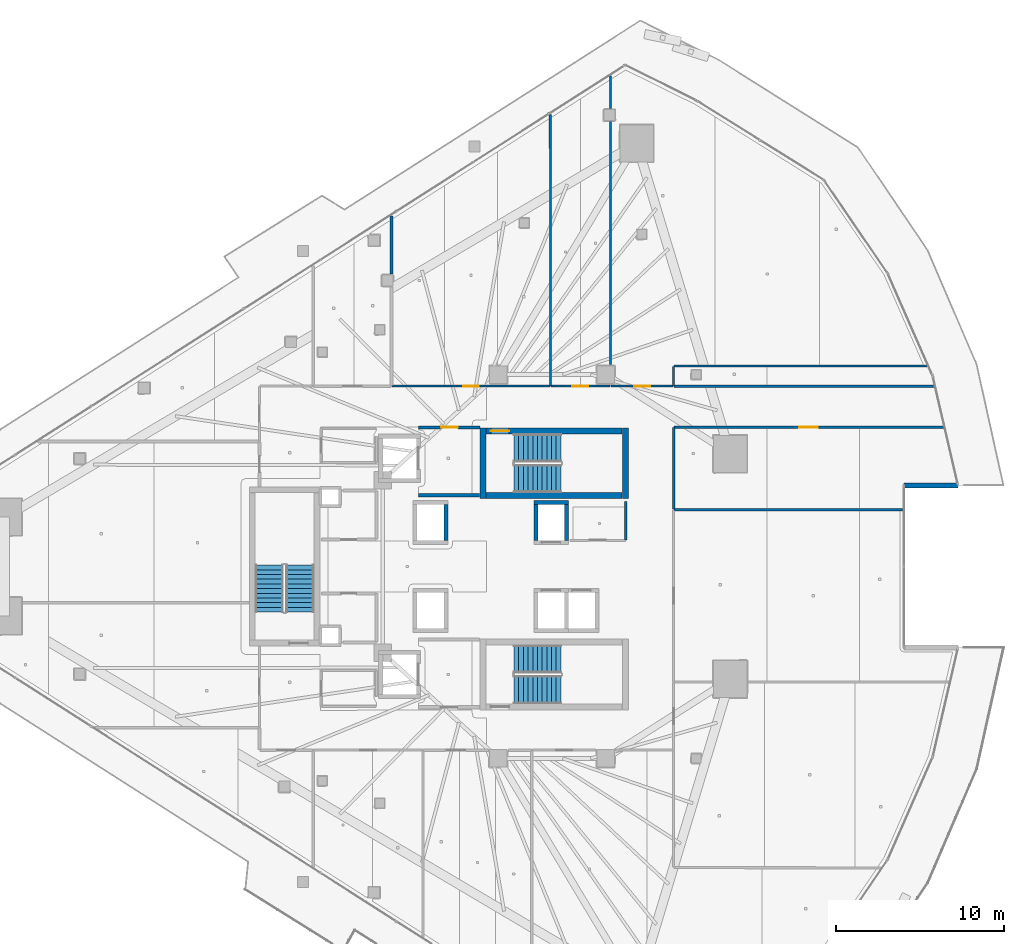
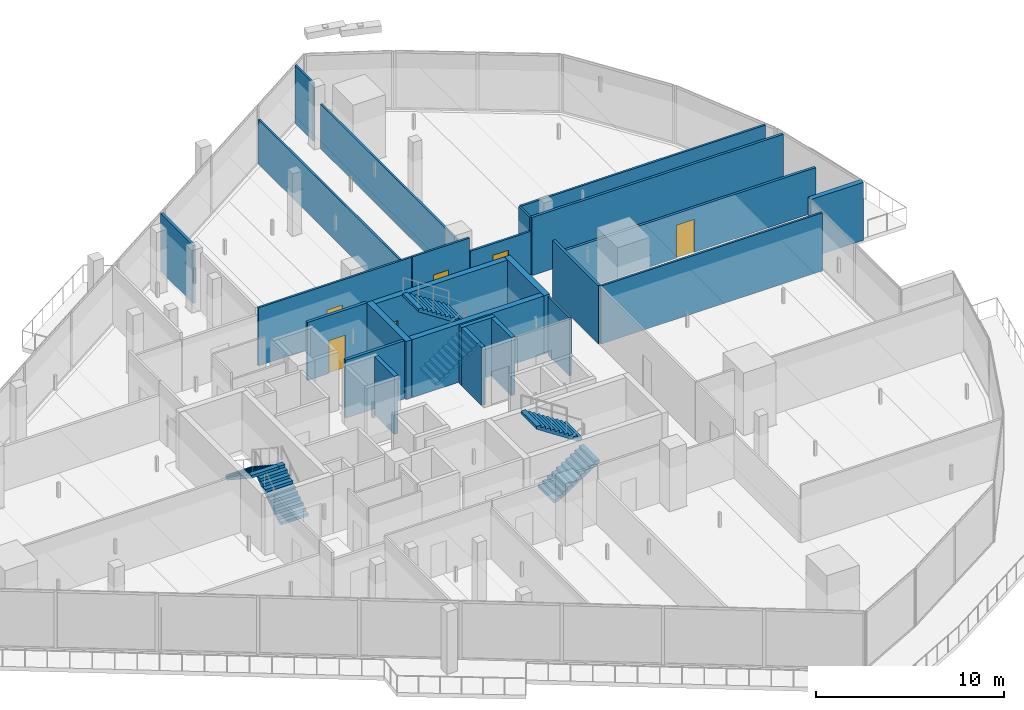
# One storey, part 27 of 39: 25 walls, 6 doors, 6 stair flights, 6 openings, 3 elements without a shape of their own.
"""IFC4 building model written with IfcOpenShell, lengths in metres."""

from ifc_helpers import new_model, si_unit, direction, frame, frame_2d, origin, place, context, subcontext, project, spatial, polyline, rectangle, outline, extrude, material, layer, layer_set, type_object, element, fill, aggregate, save


model = new_model("IFC4")

# Units and contexts
model_context = context("Model", 3, precision=1e-05, world=origin(), true_north=direction((0.0, 1.0)))
body_context = subcontext(model_context, "Body", "Model", "MODEL_VIEW")
ifc_project = project(units=[si_unit("LENGTHUNIT", "METRE"), si_unit("AREAUNIT", "SQUARE_METRE"), si_unit("VOLUMEUNIT", "CUBIC_METRE"), si_unit("PLANEANGLEUNIT", "RADIAN"), si_unit("MASSUNIT", "GRAM", prefix="KILO")], contexts=[model_context])

# Site, building, storey
site_placement = place(None, origin())
site = spatial("IfcSite", under=ifc_project, at=site_placement, CompositionType="ELEMENT")
building_placement = place(site_placement, origin())
building = spatial("IfcBuilding", under=site, at=building_placement, Name="Qorvath Tower", CompositionType="ELEMENT")
storey_placement = place(building_placement, frame((0.0, 0.0, 142.199951171875)))
storey = spatial("IfcBuildingStorey", under=building, at=storey_placement, Name="L32", CompositionType="ELEMENT", Elevation=142.199951171875)

# Wall
ifc_material_1 = material(Name="Gypsum shaftliner on steel studs", Category="steel")
ifc_layer_1 = layer(ifc_material_1, 0.179931640625)
ifc_layer_set_1 = layer_set([ifc_layer_1], Name="FW-LOBBY")
wall_type_1 = type_object("IfcWallType", Name="FW-LOBBY", PredefinedType="PARTITIONING", material=ifc_layer_set_1)
wall_1_placement = place(storey_placement, frame((-28.35498046875, 4.25, 0.0), z_axis=(0.0, 0.0, 1.0), x_axis=(1.0, 0.0, 0.0)))
element("IfcWall", 1, at=wall_1_placement, inside=storey, type_object=wall_type_1, Name="Interior Partition IW-T1-L32-001", PredefinedType="PARTITIONING", context=body_context, shape_type="SweptSolid", body=[
    extrude(rectangle(XDim=3.6220703125, YDim=0.179931640625, at=frame_2d((1.81103515625, 0.0))), origin(), (0.0, 0.0, 1.0), 3.780029296875),
])

# Wall, opening, door
wall_2_placement = place(storey_placement, frame((-24.68408203125, 8.300048828125, 0.0), z_axis=(0.0, 0.0, 1.0), x_axis=(-1.0, 0.0, 0.0)))
wall_2 = element("IfcWall", 2, at=wall_2_placement, inside=storey, type_object=wall_type_1, Name="Interior Partition IW-T1-L32-002", PredefinedType="PARTITIONING", context=body_context, shape_type="SweptSolid", body=[
    extrude(rectangle(XDim=3.6708984375, YDim=0.179931640625, at=frame_2d((1.83544921875, 0.0))), origin(), (0.0, 0.0, 1.0), 3.780029296875),
])
opening_1_placement = place(wall_2_placement, frame((1.33544921875, 0.0, 0.0)))
opening_1 = element("IfcOpeningElement", 3, at=opening_1_placement, cuts=wall_2, Name="Opening D-T1-L32-20", PredefinedType="OPENING", context=body_context, shape_type="SweptSolid", body=[
    extrude(rectangle(XDim=1.0, YDim=2.14990234375, at=frame_2d((0.5, 1.074951171875))), frame((0.0, 0.10009765625, 0.0), z_axis=(0.0, -1.0, 0.0), x_axis=(1.0, 0.0, 0.0)), (0.0, 0.0, 1.0), 0.199951171875),
])
ifc_material_2 = material(Name="Painted galvanised hollow metal", Category="steel")
door_type_1 = type_object("IfcDoorType", Name="FD-60", OperationType="NOTDEFINED", PredefinedType="DOOR", material=ifc_material_2)
door_1_placement = place(opening_1_placement, origin())
door_1 = element("IfcDoor", 4, at=door_1_placement, inside=storey, type_object=door_type_1, Name="Lobby Fire Service Elevator North Door D-T1-L32-20", OperationType="SINGLE_SWING_LEFT", OverallHeight=2.14990234375, OverallWidth=1.0, PredefinedType="DOOR", context=body_context, shape_type="SweptSolid", body=[
    extrude(rectangle(XDim=1.0, YDim=2.14990234375, at=frame_2d((0.5, 1.074951171875))), frame((0.0, 0.02490234375, 0.0), z_axis=(0.0, -1.0, 0.0), x_axis=(1.0, 0.0, 0.0)), (0.0, 0.0, 1.0), 0.050048828125),
])
fill(opening_1, door_1)

# Walls
ifc_material_3 = material(Name="Double acoustic gypsum board on steel studs", Category="steel")
ifc_layer_2 = layer(ifc_material_3, 0.159912109375)
ifc_layer_set_2 = layer_set([ifc_layer_2], Name="IW-ACOUSTIC-160")
wall_type_2 = type_object("IfcWallType", Name="IW-ACOUSTIC-160", PredefinedType="PARTITIONING", material=ifc_layer_set_2)
wall_3_placement = place(storey_placement, frame((-29.97900390625, 17.44970703125, 0.0), z_axis=(0.0, 0.0, 1.0), x_axis=(0.0, 1.0, 0.0)))
element("IfcWall", 5, at=wall_3_placement, inside=storey, type_object=wall_type_2, Name="Interior Partition IW-T1-L32-023", PredefinedType="PARTITIONING", context=body_context, shape_type="SweptSolid", body=[
    extrude(rectangle(XDim=3.47021484375, YDim=0.159912109375, at=frame_2d((1.735107421875, 0.0))), origin(), (0.0, 0.0, 1.0), 3.780029296875),
])
wall_4_placement = place(storey_placement, frame((2.376708984375, 10.758056640625, 0.0), z_axis=(0.0, 0.0, 1.0), x_axis=(-1.0, 0.0, 0.0)))
element("IfcWall", 6, at=wall_4_placement, inside=storey, type_object=wall_type_2, Name="Interior Partition IW-T1-L32-048", PredefinedType="PARTITIONING", context=body_context, shape_type="SweptSolid", body=[
    extrude(rectangle(XDim=15.493896484375, YDim=0.159912109375, at=frame_2d((7.7470703125, 0.0))), origin(), (0.0, 0.0, 1.0), 3.780029296875),
])

# Wall, opening, door
wall_5_placement = place(storey_placement, frame((2.943115234375, 8.31201171875, 0.0), z_axis=(0.0, 0.0, 1.0), x_axis=(-1.0, 0.0, 0.0)))
wall_5 = element("IfcWall", 7, at=wall_5_placement, inside=storey, type_object=wall_type_2, Name="Interior Partition IW-T1-L32-049", PredefinedType="PARTITIONING", context=body_context, shape_type="SweptSolid", body=[
    extrude(rectangle(XDim=16.060302734375, YDim=0.159912109375, at=frame_2d((8.0302734375, 0.0))), origin(), (0.0, 0.0, 1.0), 2.89501953125),
])
opening_2_placement = place(wall_5_placement, frame((7.480224609375, 0.0, 0.0)))
opening_2 = element("IfcOpeningElement", 8, at=opening_2_placement, cuts=wall_5, Name="Opening D-T1-L32-15", PredefinedType="OPENING", context=body_context, shape_type="SweptSolid", body=[
    extrude(rectangle(XDim=1.10009765625, YDim=2.14990234375, at=frame_2d((0.550048828125, 1.074951171875))), frame((0.0, 0.08984375, 0.0), z_axis=(0.0, -1.0, 0.0), x_axis=(1.0, 0.0, 0.0)), (0.0, 0.0, 1.0), 0.179931640625),
])
ifc_material_4 = material(Name="Anodised aluminium acoustic framed glass", Category="aluminium")
door_type_2 = type_object("IfcDoorType", Name="D-03", OperationType="NOTDEFINED", PredefinedType="DOOR", material=ifc_material_4)
door_2_placement = place(opening_2_placement, origin())
door_2 = element("IfcDoor", 9, at=door_2_placement, inside=storey, type_object=door_type_2, Name="L32-10 Enclosed Conference Suite Door D-T1-L32-15", OperationType="SINGLE_SWING_RIGHT", OverallHeight=2.14990234375, OverallWidth=1.10009765625, PredefinedType="DOOR", context=body_context, shape_type="SweptSolid", body=[
    extrude(rectangle(XDim=1.10009765625, YDim=2.14990234375, at=frame_2d((0.550048828125, 1.074951171875))), frame((0.0, 0.02490234375, 0.0), z_axis=(0.0, -1.0, 0.0), x_axis=(1.0, 0.0, 0.0)), (0.0, 0.0, 1.0), 0.050048828125),
])
fill(opening_2, door_2)

# Walls
wall_6_placement = place(storey_placement, frame((-13.14208984375, 8.287109375, 0.0), z_axis=(0.0, 0.0, 1.0), x_axis=(0.0, -1.0, 0.0)))
element("IfcWall", 10, at=wall_6_placement, inside=storey, type_object=wall_type_2, Name="Interior Partition IW-T1-L32-050", PredefinedType="PARTITIONING", context=body_context, shape_type="SweptSolid", body=[
    extrude(rectangle(XDim=4.87109375, YDim=0.159912109375, at=frame_2d((2.435546875, 0.0))), origin(), (0.0, 0.0, 1.0), 3.780029296875),
])
ifc_material_5 = material(Name="Gypsum board on metal studs with mineral wool", Category="gypsum")
ifc_layer_3 = layer(ifc_material_5, 0.125)
ifc_layer_set_3 = layer_set([ifc_layer_3], Name="IW-PART-125")
wall_type_3 = type_object("IfcWallType", Name="IW-PART-125", PredefinedType="PARTITIONING", material=ifc_layer_set_3)
wall_7_placement = place(storey_placement, frame((-16.0, 1.585205078125, 0.0), z_axis=(0.0, 0.0, 1.0), x_axis=(0.0, 1.0, 0.0)))
element("IfcWall", 11, at=wall_7_placement, inside=storey, type_object=wall_type_3, Name="Interior Partition IW-T1-L32-014", PredefinedType="PARTITIONING", context=body_context, shape_type="SweptSolid", body=[
    extrude(rectangle(XDim=2.30224609375, YDim=0.125, at=frame_2d((1.151123046875, 0.0))), origin(), (0.0, 0.0, 1.0), 3.780029296875),
])

# Wall, opening, door
wall_8_placement = place(storey_placement, frame((-29.94580078125, 10.758056640625, 0.0), z_axis=(0.0, 0.0, 1.0), x_axis=(1.0, 0.0, 0.0)))
wall_8 = element("IfcWall", 12, at=wall_8_placement, inside=storey, type_object=wall_type_3, Name="Interior Partition IW-T1-L32-025", PredefinedType="PARTITIONING", context=body_context, shape_type="SweptSolid", body=[
    extrude(rectangle(XDim=9.42138671875, YDim=0.125, at=frame_2d((4.710693359375, 0.0))), origin(), (0.0, 0.0, 1.0), 3.780029296875),
])
opening_3_placement = place(wall_8_placement, frame((4.235595703125, 0.0, 0.0)))
opening_3 = element("IfcOpeningElement", 13, at=opening_3_placement, cuts=wall_8, Name="Opening D-T1-L32-07", PredefinedType="OPENING", context=body_context, shape_type="SweptSolid", body=[
    extrude(rectangle(XDim=0.949951171875, YDim=2.14990234375, at=frame_2d((0.47509765625, 1.074951171875))), frame((0.0, 0.072509765625, 0.0), z_axis=(0.0, -1.0, 0.0), x_axis=(1.0, 0.0, 0.0)), (0.0, 0.0, 1.0), 0.14501953125),
])
ifc_material_6 = material(Name="Solid-core American white oak veneer", Category="wood")
door_type_3 = type_object("IfcDoorType", Name="D-01", OperationType="NOTDEFINED", PredefinedType="DOOR", material=ifc_material_6)
door_3_placement = place(opening_3_placement, origin())
door_3 = element("IfcDoor", 14, at=door_3_placement, inside=storey, type_object=door_type_3, Name="L32-02 Project Collaboration Workspace Door D-T1-L32-07", OperationType="SINGLE_SWING_RIGHT", OverallHeight=2.14990234375, OverallWidth=0.949951171875, PredefinedType="DOOR", context=body_context, shape_type="SweptSolid", body=[
    extrude(rectangle(XDim=0.949951171875, YDim=2.14990234375, at=frame_2d((0.47509765625, 1.074951171875))), frame((0.0, 0.02490234375, 0.0), z_axis=(0.0, -1.0, 0.0), x_axis=(1.0, 0.0, 0.0)), (0.0, 0.0, 1.0), 0.050048828125),
])
fill(opening_3, door_3)

# Wall
wall_9_placement = place(storey_placement, frame((-20.499267578125, 10.783203125, 0.0), z_axis=(0.0, 0.0, 1.0), x_axis=(-0.000346792899, 0.999999939867, 0.0)))
element("IfcWall", 15, at=wall_9_placement, inside=storey, type_object=wall_type_3, Name="Interior Partition IW-T1-L32-026", PredefinedType="PARTITIONING", context=body_context, shape_type="SweptSolid", body=[
    extrude(rectangle(XDim=16.19189453125, YDim=0.125, at=frame_2d((8.095947265625, 0.0))), origin(), (0.0, 0.0, 1.0), 2.89501953125),
])

# Wall, opening, door
wall_10_placement = place(storey_placement, frame((-20.46630859375, 10.758056640625, 0.0), z_axis=(0.0, 0.0, 1.0), x_axis=(1.0, 0.0, 0.0)))
wall_10 = element("IfcWall", 16, at=wall_10_placement, inside=storey, type_object=wall_type_3, Name="Interior Partition IW-T1-L32-027", PredefinedType="PARTITIONING", context=body_context, shape_type="SweptSolid", body=[
    extrude(rectangle(XDim=3.522705078125, YDim=0.125, at=frame_2d((1.76123046875, 0.0))), origin(), (0.0, 0.0, 1.0), 3.780029296875),
])
opening_4_placement = place(wall_10_placement, frame((1.286376953125, 0.0, 0.0)))
opening_4 = element("IfcOpeningElement", 17, at=opening_4_placement, cuts=wall_10, Name="Opening D-T1-L32-08", PredefinedType="OPENING", context=body_context, shape_type="SweptSolid", body=[
    extrude(rectangle(XDim=0.949951171875, YDim=2.14990234375, at=frame_2d((0.47509765625, 1.074951171875))), frame((0.0, 0.072509765625, 0.0), z_axis=(0.0, -1.0, 0.0), x_axis=(1.0, 0.0, 0.0)), (0.0, 0.0, 1.0), 0.14501953125),
])
door_4_placement = place(opening_4_placement, origin())
door_4 = element("IfcDoor", 18, at=door_4_placement, inside=storey, type_object=door_type_3, Name="L32-03 Design Pin-Up Atelier Door D-T1-L32-08", OperationType="SINGLE_SWING_LEFT", OverallHeight=2.14990234375, OverallWidth=0.949951171875, PredefinedType="DOOR", context=body_context, shape_type="SweptSolid", body=[
    extrude(rectangle(XDim=0.949951171875, YDim=2.14990234375, at=frame_2d((0.47509765625, 1.074951171875))), frame((0.0, 0.02490234375, 0.0), z_axis=(0.0, -1.0, 0.0), x_axis=(1.0, 0.0, 0.0)), (0.0, 0.0, 1.0), 0.050048828125),
])
fill(opening_4, door_4)

# Walls
wall_11_placement = place(storey_placement, frame((-16.918701171875, 12.0400390625, 0.0), z_axis=(0.0, 0.0, 1.0), x_axis=(0.0, 1.0, 0.0)))
element("IfcWall", 19, at=wall_11_placement, inside=storey, type_object=wall_type_3, Name="Interior Partition IW-T1-L32-028", PredefinedType="PARTITIONING", context=body_context, shape_type="SweptSolid", body=[
    extrude(rectangle(XDim=14.499267578125, YDim=0.125, at=frame_2d((7.24951171875, 0.0))), origin(), (0.0, 0.0, 1.0), 2.89501953125),
])
wall_12_placement = place(storey_placement, frame((-16.918701171875, 27.319091796875, 0.0), z_axis=(0.0, 0.0, 1.0), x_axis=(0.0, 1.0, 0.0)))
element("IfcWall", 20, at=wall_12_placement, inside=storey, type_object=wall_type_3, Name="Interior Partition IW-T1-L32-029", PredefinedType="PARTITIONING", context=body_context, shape_type="SweptSolid", body=[
    extrude(rectangle(XDim=1.947998046875, YDim=0.125, at=frame_2d((0.97412109375, 0.0))), origin(), (0.0, 0.0, 1.0), 3.780029296875),
])

# Wall, opening, door
wall_13_placement = place(storey_placement, frame((-16.885498046875, 10.758056640625, 0.0), z_axis=(0.0, 0.0, 1.0), x_axis=(1.0, 0.0, 0.0)))
wall_13 = element("IfcWall", 21, at=wall_13_placement, inside=storey, type_object=wall_type_3, Name="Interior Partition IW-T1-L32-030", PredefinedType="PARTITIONING", context=body_context, shape_type="SweptSolid", body=[
    extrude(rectangle(XDim=3.710693359375, YDim=0.125, at=frame_2d((1.85546875, 0.0))), origin(), (0.0, 0.0, 1.0), 2.89501953125),
])
opening_5_placement = place(wall_13_placement, frame((1.38037109375, 0.0, 0.0)))
opening_5 = element("IfcOpeningElement", 22, at=opening_5_placement, cuts=wall_13, Name="Opening D-T1-L32-09", PredefinedType="OPENING", context=body_context, shape_type="SweptSolid", body=[
    extrude(rectangle(XDim=0.949951171875, YDim=2.14990234375, at=frame_2d((0.47509765625, 1.074951171875))), frame((0.0, 0.072509765625, 0.0), z_axis=(0.0, -1.0, 0.0), x_axis=(1.0, 0.0, 0.0)), (0.0, 0.0, 1.0), 0.14501953125),
])
door_5_placement = place(opening_5_placement, origin())
door_5 = element("IfcDoor", 23, at=door_5_placement, inside=storey, type_object=door_type_3, Name="L32-04 Executive Partner Office Door D-T1-L32-09", OperationType="SINGLE_SWING_RIGHT", OverallHeight=2.14990234375, OverallWidth=0.949951171875, PredefinedType="DOOR", context=body_context, shape_type="SweptSolid", body=[
    extrude(rectangle(XDim=0.949951171875, YDim=2.14990234375, at=frame_2d((0.47509765625, 1.074951171875))), frame((0.0, 0.02490234375, 0.0), z_axis=(0.0, -1.0, 0.0), x_axis=(1.0, 0.0, 0.0)), (0.0, 0.0, 1.0), 0.050048828125),
])
fill(opening_5, door_5)

# Walls
wall_14_placement = place(storey_placement, frame((-13.14990234375, 11.92626953125, 0.0), z_axis=(0.0, 0.0, 1.0), x_axis=(0.0, -1.0, 0.0)))
element("IfcWall", 24, at=wall_14_placement, inside=storey, type_object=wall_type_3, Name="Interior Partition IW-T1-L32-031", PredefinedType="PARTITIONING", context=body_context, shape_type="SweptSolid", body=[
    extrude(rectangle(XDim=1.14306640625, YDim=0.125, at=frame_2d((0.571533203125, 0.0))), origin(), (0.0, 0.0, 1.0), 3.780029296875),
])
wall_15_placement = place(storey_placement, frame((-13.125, 11.951171875, 0.0), z_axis=(0.0, 0.0, 1.0), x_axis=(0.999999646529, 0.000840797814, 0.0)))
element("IfcWall", 25, at=wall_15_placement, inside=storey, type_object=wall_type_3, Name="Interior Partition IW-T1-L32-032", PredefinedType="PARTITIONING", context=body_context, shape_type="SweptSolid", body=[
    extrude(rectangle(XDim=15.09912109375, YDim=0.125, at=frame_2d((7.549560546875, 0.0))), origin(), (0.0, 0.0, 1.0), 3.780029296875),
])
wall_16_placement = place(storey_placement, frame((0.521484375, 3.3828125, 0.0), z_axis=(0.0, 0.0, 1.0), x_axis=(-1.0, 0.0, 0.0)))
element("IfcWall", 26, at=wall_16_placement, inside=storey, type_object=wall_type_3, Name="Interior Partition IW-T1-L32-046", PredefinedType="PARTITIONING", context=body_context, shape_type="SweptSolid", body=[
    extrude(rectangle(XDim=13.638671875, YDim=0.125, at=frame_2d((6.8193359375, 0.0))), origin(), (0.0, 0.0, 1.0), 3.780029296875),
])
ifc_material_7 = material(Name="Concrete C60/75", Category="concrete")
ifc_layer_4 = layer(ifc_material_7, 0.260009765625)
ifc_layer_set_4 = layer_set([ifc_layer_4], Name="SW-SHAFT")
wall_type_4 = type_object("IfcWallType", Name="SW-SHAFT", PredefinedType="SHEAR", material=ifc_layer_set_4)
wall_17_placement = place(storey_placement, frame((-26.72998046875, 3.68798828125, 0.0), z_axis=(0.0, 0.0, 1.0), x_axis=(0.0, -1.0, 0.0)))
element("IfcWall", 27, at=wall_17_placement, inside=storey, type_object=wall_type_4, Name="Hoistway Wall PS-1 L32 E", PredefinedType="SHEAR", context=body_context, shape_type="SweptSolid", body=[
    extrude(rectangle(XDim=2.1259765625, YDim=0.239990234375, at=frame_2d((1.06298828125, 0.0))), origin(), (0.0, 0.0, 1.0), 3.780029296875),
])
wall_18_placement = place(storey_placement, frame((-21.489990234375, 3.820068359375, 0.0), z_axis=(0.0, 0.0, 1.0), x_axis=(1.0, 0.0, 0.0)))
element("IfcWall", 28, at=wall_18_placement, inside=storey, type_object=wall_type_4, Name="Hoistway Wall PM-1 L32 N", PredefinedType="SHEAR", context=body_context, shape_type="SweptSolid", body=[
    extrude(rectangle(XDim=2.080078125, YDim=0.239990234375, at=frame_2d((1.0400390625, 0.0))), origin(), (0.0, 0.0, 1.0), 3.780029296875),
])
for number, where, z_axis, x_axis, name in (
    (29, (-21.3701171875, 1.56201171875, 0.0), (0.0, 0.0, 1.0), (0.0, 1.0, 0.0), "Hoistway Wall PM-1 L32 W"),
    (30, (-19.530029296875, 3.68798828125, 0.0), (0.0, 0.0, 1.0), (0.0, -1.0, 0.0), "Hoistway Wall PM-1 L32 E"),
):
    element("IfcWall", number, at=place(storey_placement, frame(where, z_axis=z_axis, x_axis=x_axis)), inside=storey, type_object=wall_type_4, Name=name, PredefinedType="SHEAR", context=body_context, shape_type="SweptSolid", body=[
        extrude(rectangle(XDim=2.1259765625, YDim=0.239990234375, at=frame_2d((1.06298828125, 0.0))), origin(), (0.0, 0.0, 1.0), 3.780029296875),
    ])
ifc_material_8 = material(Name="Concrete C60/75", Category="concrete")
ifc_layer_5 = layer(ifc_material_8, 0.35009765625)
ifc_layer_set_5 = layer_set([ifc_layer_5], Name="SW-STAIR")
wall_type_5 = type_object("IfcWallType", Name="SW-STAIR", PredefinedType="SHEAR", material=ifc_layer_set_5)
for number, where, z_axis, x_axis, name in (
    (31, (-24.52490234375, 8.260009765625, 0.0), (0.0, 0.0, 1.0), (0.0, -1.0, 0.0), "Stair TS1 Shear Wall L32 NEAR"),
    (32, (-16.02490234375, 4.050048828125, 0.0), (0.0, 0.0, 1.0), (0.0, 1.0, 0.0), "Stair TS1 Shear Wall L32 FAR"),
):
    element("IfcWall", number, at=place(storey_placement, frame(where, z_axis=z_axis, x_axis=x_axis)), inside=storey, type_object=wall_type_5, Name=name, PredefinedType="SHEAR", context=body_context, shape_type="SweptSolid", body=[
        extrude(rectangle(XDim=4.2099609375, YDim=0.35009765625, at=frame_2d((2.10498046875, 0.0))), origin(), (0.0, 0.0, 1.0), 3.780029296875),
    ])
wall_19_placement = place(storey_placement, frame((-24.3349609375, 4.22509765625, 0.0), z_axis=(0.0, 0.0, 1.0), x_axis=(1.0, 0.0, 0.0)))
element("IfcWall", 33, at=wall_19_placement, inside=storey, type_object=wall_type_5, Name="Stair TS1 Shear Wall L32 LEFT", PredefinedType="SHEAR", context=body_context, shape_type="SweptSolid", body=[
    extrude(rectangle(XDim=8.119873046875, YDim=0.35009765625, at=frame_2d((4.06005859375, 0.0))), origin(), (0.0, 0.0, 1.0), 3.780029296875),
])

# Wall, opening, door
wall_20_placement = place(storey_placement, frame((-16.215087890625, 8.0849609375, 0.0), z_axis=(0.0, 0.0, 1.0), x_axis=(-1.0, 0.0, 0.0)))
wall_20 = element("IfcWall", 34, at=wall_20_placement, inside=storey, type_object=wall_type_5, Name="Stair TS1 Shear Wall L32 RIGHT", PredefinedType="SHEAR", context=body_context, shape_type="SweptSolid", body=[
    extrude(rectangle(XDim=8.119873046875, YDim=0.35009765625, at=frame_2d((4.06005859375, 0.0))), origin(), (0.0, 0.0, 1.0), 3.780029296875),
])
opening_6_placement = place(wall_20_placement, frame((6.739990234375, 0.0, 0.0)))
opening_6 = element("IfcOpeningElement", 35, at=opening_6_placement, cuts=wall_20, Name="Opening D-TS1-L32", PredefinedType="OPENING", context=body_context, shape_type="SweptSolid", body=[
    extrude(rectangle(XDim=1.10009765625, YDim=2.199951171875, at=frame_2d((0.550048828125, 1.10009765625))), frame((0.0, 0.18505859375, 0.0), z_axis=(0.0, -1.0, 0.0), x_axis=(1.0, 0.0, 0.0)), (0.0, 0.0, 1.0), 0.3701171875),
])
ifc_material_9 = material(Name="Painted galvanised hollow metal", Category="steel")
door_type_4 = type_object("IfcDoorType", Name="FD-90", OperationType="NOTDEFINED", PredefinedType="DOOR", material=ifc_material_9)
door_6_placement = place(opening_6_placement, origin())
door_6 = element("IfcDoor", 36, at=door_6_placement, inside=storey, type_object=door_type_4, Name="Stair TS1 Fire Door L32", OperationType="SINGLE_SWING_LEFT", OverallHeight=2.199951171875, OverallWidth=1.10009765625, PredefinedType="DOOR", context=body_context, shape_type="SweptSolid", body=[
    extrude(rectangle(XDim=1.10009765625, YDim=2.199951171875, at=frame_2d((0.550048828125, 1.10009765625))), frame((0.0, 0.02490234375, 0.0), z_axis=(0.0, -1.0, 0.0), x_axis=(1.0, 0.0, 0.0)), (0.0, 0.0, 1.0), 0.050048828125),
])
fill(opening_6, door_6)

# Wall
ifc_material_10 = material(Name="Precast concrete C45/55", Category="concrete")
ifc_layer_6 = layer(ifc_material_10, 0.300048828125)
ifc_layer_set_6 = layer_set([ifc_layer_6], Name="WL-EW-LOG-300")
wall_type_6 = type_object("IfcWallType", Name="WL-EW-LOG-300", PredefinedType="SOLIDWALL", material=ifc_layer_set_6)
wall_21_placement = place(storey_placement, frame((0.6015625, 4.83837890625, 0.0), z_axis=(0.0, 0.0, 1.0), x_axis=(1.0, 0.0, 0.0)))
element("IfcWall", 37, at=wall_21_placement, inside=storey, type_object=wall_type_6, Name="Tower Precast Loggia Wall L32-10.1", PredefinedType="SOLIDWALL", context=body_context, shape_type="SweptSolid", body=[
    extrude(rectangle(XDim=3.2255859375, YDim=0.300048828125, at=frame_2d((1.61279296875, 0.0))), origin(), (0.0, 0.0, 1.0), 3.780029296875),
])

# Stair, stair flights
ifc_material_11 = material(Name="Concrete C50/60", Category="concrete")
stair_type = type_object("IfcStairType", Name="ST-H405", PredefinedType="HALF_TURN_STAIR", material=ifc_material_11)
stair_1_placement = place(storey_placement, origin())
stair_1 = element("IfcStair", 38, at=stair_1_placement, inside=storey, type_object=stair_type, Name="L32 Tower Exit Stair 1", PredefinedType="HALF_TURN_STAIR")
ifc_material_12 = material(Name="Concrete C50/60", Category="concrete")
ifc_layer_7 = layer(ifc_material_12, 0.14990234375)
ifc_layer_set_7 = layer_set([ifc_layer_7], Name="SF-H405")
stair_flight_type = type_object("IfcStairFlightType", Name="SF-H405", PredefinedType="STRAIGHT", material=ifc_layer_set_7)
stair_flight_1_placement = place(storey_placement, frame((-22.669921875, 5.239990234375, 0.0), z_axis=(0.0, 0.0, 1.0), x_axis=(1.0, 0.0, 0.0)))
stair_flight_1 = element("IfcStairFlight", 39, at=stair_flight_1_placement, type_object=stair_flight_type, Name="TS1 flight 1", NumberOfRisers=11, NumberOfTreads=10, PredefinedType="STRAIGHT", RiserHeight=0.184090909, TreadLength=0.28, context=body_context, shape_type="SweptSolid", body=[
    extrude(outline(polyline([(0.0, 0.0), (0.0, 0.18408203125), (0.280029296875, 0.18408203125), (0.280029296875, 0.3681640625), (0.56005859375, 0.3681640625), (0.56005859375, 0.55224609375), (0.840087890625, 0.55224609375), (0.840087890625, 0.736328125), (1.1201171875, 0.736328125), (1.1201171875, 0.92041015625), (1.39990234375, 0.92041015625), (1.39990234375, 1.1044921875), (1.679931640625, 1.1044921875), (1.679931640625, 1.28857421875), (1.9599609375, 1.28857421875), (1.9599609375, 1.47265625), (2.239990234375, 1.47265625), (2.239990234375, 1.65673828125), (2.52001953125, 1.65673828125), (2.52001953125, 1.8408203125), (2.800048828125, 1.8408203125), (2.800048828125, 2.02490234375), (2.800048828125, 1.66162109375), (0.27294921875, 0.0), (0.0, 0.0)])), frame((0.0, 0.83984375, 0.0), z_axis=(0.0, -1.0, 0.0), x_axis=(1.0, 0.0, 0.0)), (0.0, 0.0, 1.0), 1.679931640625),
])
stair_flight_2_placement = place(storey_placement, frame((-19.8701171875, 7.070068359375, 2.025146484375), z_axis=(0.0, 0.0, 1.0), x_axis=(-1.0, 0.0, 0.0)))
stair_flight_2 = element("IfcStairFlight", 40, at=stair_flight_2_placement, type_object=stair_flight_type, Name="TS1 flight 2", NumberOfRisers=11, NumberOfTreads=10, PredefinedType="STRAIGHT", RiserHeight=0.184090909, TreadLength=0.28, context=body_context, shape_type="SweptSolid", body=[
    extrude(outline(polyline([(0.0, 0.0), (0.0, 0.18408203125), (0.280029296875, 0.18408203125), (0.280029296875, 0.3681640625), (0.56005859375, 0.3681640625), (0.56005859375, 0.55224609375), (0.840087890625, 0.55224609375), (0.840087890625, 0.736328125), (1.1201171875, 0.736328125), (1.1201171875, 0.92041015625), (1.39990234375, 0.92041015625), (1.39990234375, 1.1044921875), (1.679931640625, 1.1044921875), (1.679931640625, 1.28857421875), (1.9599609375, 1.28857421875), (1.9599609375, 1.47265625), (2.239990234375, 1.47265625), (2.239990234375, 1.65673828125), (2.52001953125, 1.65673828125), (2.52001953125, 1.8408203125), (2.800048828125, 1.8408203125), (2.800048828125, 2.02490234375), (2.800048828125, 1.66162109375), (0.27294921875, 0.0), (0.0, 0.0)])), frame((0.0, 0.83984375, 0.0), z_axis=(0.0, -1.0, 0.0), x_axis=(1.0, 0.0, 0.0)), (0.0, 0.0, 1.0), 1.679931640625),
])
aggregate(stair_1, [stair_flight_1, stair_flight_2])

stair_2_placement = place(storey_placement, origin())
stair_2 = element("IfcStair", 41, at=stair_2_placement, inside=storey, type_object=stair_type, Name="L32 Tower Exit Stair 2", PredefinedType="HALF_TURN_STAIR")
stair_flight_3_placement = place(storey_placement, frame((-22.669921875, -7.360107421875, 0.0), z_axis=(0.0, 0.0, 1.0), x_axis=(1.0, 0.0, 0.0)))
stair_flight_3 = element("IfcStairFlight", 42, at=stair_flight_3_placement, type_object=stair_flight_type, Name="TS2 flight 1", NumberOfRisers=11, NumberOfTreads=10, PredefinedType="STRAIGHT", RiserHeight=0.184090909, TreadLength=0.28, context=body_context, shape_type="SweptSolid", body=[
    extrude(outline(polyline([(0.0, 0.0), (0.0, 0.18408203125), (0.280029296875, 0.18408203125), (0.280029296875, 0.3681640625), (0.56005859375, 0.3681640625), (0.56005859375, 0.55224609375), (0.840087890625, 0.55224609375), (0.840087890625, 0.736328125), (1.1201171875, 0.736328125), (1.1201171875, 0.92041015625), (1.39990234375, 0.92041015625), (1.39990234375, 1.1044921875), (1.679931640625, 1.1044921875), (1.679931640625, 1.28857421875), (1.9599609375, 1.28857421875), (1.9599609375, 1.47265625), (2.239990234375, 1.47265625), (2.239990234375, 1.65673828125), (2.52001953125, 1.65673828125), (2.52001953125, 1.8408203125), (2.800048828125, 1.8408203125), (2.800048828125, 2.02490234375), (2.800048828125, 1.66162109375), (0.27294921875, 0.0), (0.0, 0.0)])), frame((0.0, 0.83984375, 0.0), z_axis=(0.0, -1.0, 0.0), x_axis=(1.0, 0.0, 0.0)), (0.0, 0.0, 1.0), 1.679931640625),
])
stair_flight_4_placement = place(storey_placement, frame((-19.8701171875, -5.530029296875, 2.025146484375), z_axis=(0.0, 0.0, 1.0), x_axis=(-1.0, 0.0, 0.0)))
stair_flight_4 = element("IfcStairFlight", 43, at=stair_flight_4_placement, type_object=stair_flight_type, Name="TS2 flight 2", NumberOfRisers=11, NumberOfTreads=10, PredefinedType="STRAIGHT", RiserHeight=0.184090909, TreadLength=0.28, context=body_context, shape_type="SweptSolid", body=[
    extrude(outline(polyline([(0.0, 0.0), (0.0, 0.18408203125), (0.280029296875, 0.18408203125), (0.280029296875, 0.3681640625), (0.56005859375, 0.3681640625), (0.56005859375, 0.55224609375), (0.840087890625, 0.55224609375), (0.840087890625, 0.736328125), (1.1201171875, 0.736328125), (1.1201171875, 0.92041015625), (1.39990234375, 0.92041015625), (1.39990234375, 1.1044921875), (1.679931640625, 1.1044921875), (1.679931640625, 1.28857421875), (1.9599609375, 1.28857421875), (1.9599609375, 1.47265625), (2.239990234375, 1.47265625), (2.239990234375, 1.65673828125), (2.52001953125, 1.65673828125), (2.52001953125, 1.8408203125), (2.800048828125, 1.8408203125), (2.800048828125, 2.02490234375), (2.800048828125, 1.66162109375), (0.27294921875, 0.0), (0.0, 0.0)])), frame((0.0, 0.83984375, 0.0), z_axis=(0.0, -1.0, 0.0), x_axis=(1.0, 0.0, 0.0)), (0.0, 0.0, 1.0), 1.679931640625),
])
aggregate(stair_2, [stair_flight_3, stair_flight_4])

stair_3_placement = place(storey_placement, origin())
stair_3 = element("IfcStair", 44, at=stair_3_placement, inside=storey, type_object=stair_type, Name="L32 Tower Exit Stair 3", PredefinedType="HALF_TURN_STAIR")
stair_flight_5_placement = place(storey_placement, frame((-35.43994140625, -2.719970703125, 0.0), z_axis=(0.0, 0.0, 1.0), x_axis=(0.0, 1.0, 0.0)))
stair_flight_5 = element("IfcStairFlight", 45, at=stair_flight_5_placement, type_object=stair_flight_type, Name="TS3 flight 1", NumberOfRisers=11, NumberOfTreads=10, PredefinedType="STRAIGHT", RiserHeight=0.184090909, TreadLength=0.28, context=body_context, shape_type="SweptSolid", body=[
    extrude(outline(polyline([(0.0, 0.0), (0.0, 0.18408203125), (0.280029296875, 0.18408203125), (0.280029296875, 0.3681640625), (0.56005859375, 0.3681640625), (0.56005859375, 0.55224609375), (0.840087890625, 0.55224609375), (0.840087890625, 0.736328125), (1.1201171875, 0.736328125), (1.1201171875, 0.92041015625), (1.39990234375, 0.92041015625), (1.39990234375, 1.1044921875), (1.679931640625, 1.1044921875), (1.679931640625, 1.28857421875), (1.9599609375, 1.28857421875), (1.9599609375, 1.47265625), (2.239990234375, 1.47265625), (2.239990234375, 1.65673828125), (2.52001953125, 1.65673828125), (2.52001953125, 1.8408203125), (2.800048828125, 1.8408203125), (2.800048828125, 2.02490234375), (2.800048828125, 1.66162109375), (0.27294921875, 0.0), (0.0, 0.0)])), frame((0.0, 0.83984375, 0.0), z_axis=(0.0, -1.0, 0.0), x_axis=(1.0, 0.0, 0.0)), (0.0, 0.0, 1.0), 1.679931640625),
])
stair_flight_6_placement = place(storey_placement, frame((-37.27001953125, 0.080078125, 2.025146484375), z_axis=(0.0, 0.0, 1.0), x_axis=(0.0, -1.0, 0.0)))
stair_flight_6 = element("IfcStairFlight", 46, at=stair_flight_6_placement, type_object=stair_flight_type, Name="TS3 flight 2", NumberOfRisers=11, NumberOfTreads=10, PredefinedType="STRAIGHT", RiserHeight=0.184090909, TreadLength=0.28, context=body_context, shape_type="SweptSolid", body=[
    extrude(outline(polyline([(0.0, 0.0), (0.0, 0.18408203125), (0.280029296875, 0.18408203125), (0.280029296875, 0.3681640625), (0.56005859375, 0.3681640625), (0.56005859375, 0.55224609375), (0.840087890625, 0.55224609375), (0.840087890625, 0.736328125), (1.1201171875, 0.736328125), (1.1201171875, 0.92041015625), (1.39990234375, 0.92041015625), (1.39990234375, 1.1044921875), (1.679931640625, 1.1044921875), (1.679931640625, 1.28857421875), (1.9599609375, 1.28857421875), (1.9599609375, 1.47265625), (2.239990234375, 1.47265625), (2.239990234375, 1.65673828125), (2.52001953125, 1.65673828125), (2.52001953125, 1.8408203125), (2.800048828125, 1.8408203125), (2.800048828125, 2.02490234375), (2.800048828125, 1.66162109375), (0.27294921875, 0.0), (0.0, 0.0)])), frame((0.0, 0.83984375, 0.0), z_axis=(0.0, -1.0, 0.0), x_axis=(1.0, 0.0, 0.0)), (0.0, 0.0, 1.0), 1.679931640625),
])
aggregate(stair_3, [stair_flight_5, stair_flight_6])

save(model, "model.ifc")
